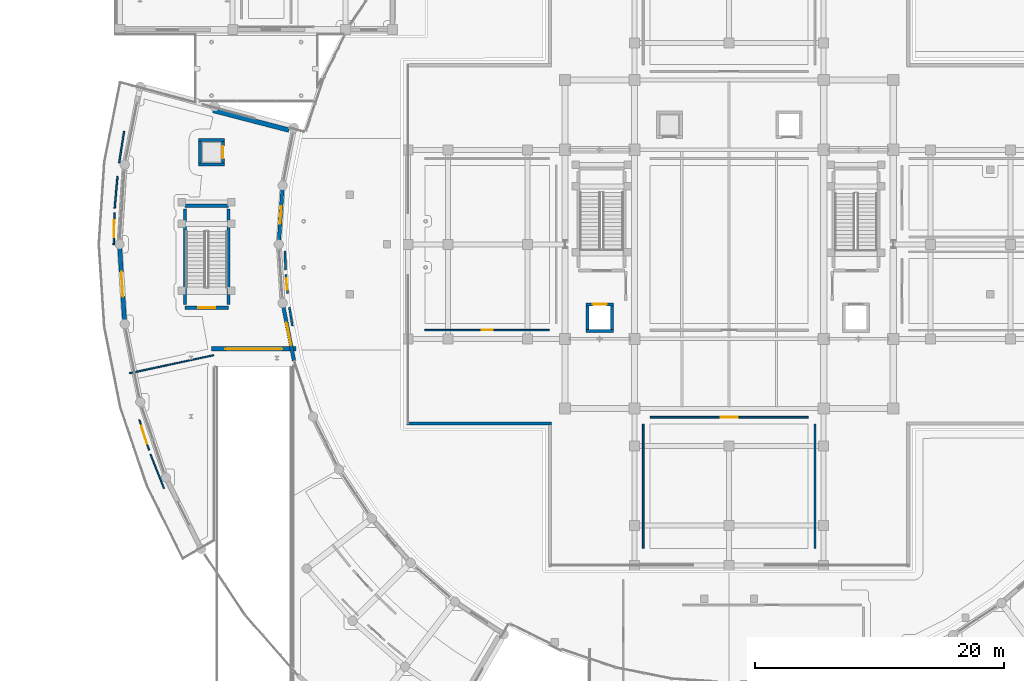
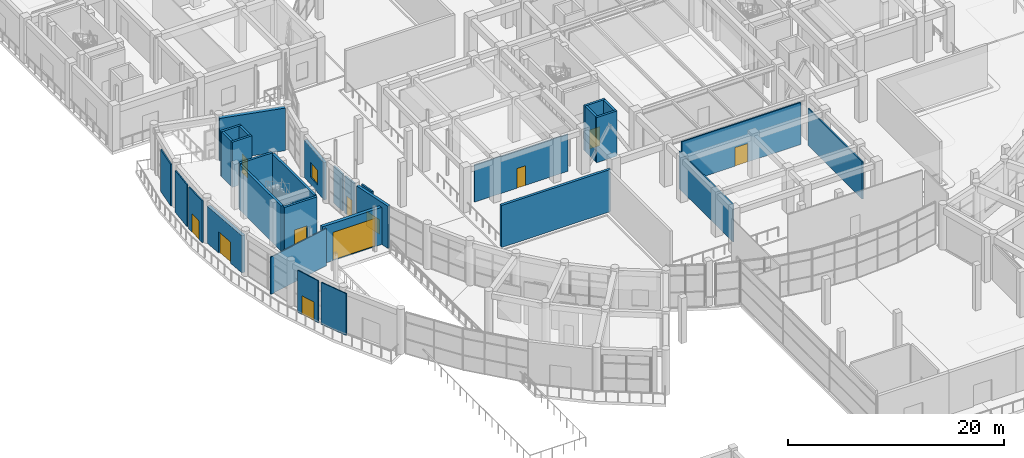
# One storey, part 69 of 99: 31 walls, 10 doors, 2 windows, 12 openings.
"""IFC4 building model written with IfcOpenShell, lengths in metres."""

from ifc_helpers import new_model, si_unit, direction, frame, frame_2d, origin, place, context, subcontext, project, spatial, rectangle, extrude, material, layer, layer_set, type_object, element, fill, save


model = new_model("IFC4")

# Units and contexts
model_context = context("Model", 3, precision=1e-05, world=origin(), true_north=direction((0.0, 1.0)))
body_context = subcontext(model_context, "Body", "Model", "MODEL_VIEW")
ifc_project = project(units=[si_unit("LENGTHUNIT", "METRE"), si_unit("AREAUNIT", "SQUARE_METRE"), si_unit("VOLUMEUNIT", "CUBIC_METRE"), si_unit("PLANEANGLEUNIT", "RADIAN"), si_unit("MASSUNIT", "GRAM", prefix="KILO")], contexts=[model_context])

# Site, building, storey
site_placement = place(None, origin())
site = spatial("IfcSite", under=ifc_project, at=site_placement, CompositionType="ELEMENT")
building_placement = place(site_placement, origin())
building = spatial("IfcBuilding", under=site, at=building_placement, Name="Saryqyr Civic Hall", CompositionType="ELEMENT")
storey_placement = place(building_placement, origin())
storey = spatial("IfcBuildingStorey", under=building, at=storey_placement, Name="L00", CompositionType="ELEMENT", Elevation=0.0)

# Wall
ifc_material_1 = material(Name="Precast concrete C40/50", Category="concrete")
ifc_layer_1 = layer(ifc_material_1, 0.27001953125, Name="Precast concrete C40/50")
ifc_layer_set_1 = layer_set([ifc_layer_1], Name="Precast concrete C40/50")
wall_type_1 = type_object("IfcWallType", Name="ENV-WAL-EXT-270", PredefinedType="STANDARD", material=ifc_layer_set_1)
wall_1_placement = place(storey_placement, frame((42.719970703125, 69.60009765625, 0.0), z_axis=(0.0, 0.0, 1.0), x_axis=(-1.0, 0.0, 0.0)))
element("IfcWall", 1, at=wall_1_placement, inside=storey, type_object=wall_type_1, Name="Exterior wall V1-EW-L00-01", PredefinedType="STANDARD", context=body_context, shape_type="SweptSolid", body=[
    extrude(rectangle(XDim=11.639892578125, YDim=0.27001953125, at=frame_2d((5.81982421875, 0.0))), origin(), (0.0, 0.0, 1.0), 4.75),
])

# Wall, opening, window
ifc_layer_2 = layer(ifc_material_1, 0.2900390625, Name="Precast concrete C40/50")
ifc_layer_set_2 = layer_set([ifc_layer_2], Name="Precast concrete C40/50")
wall_type_2 = type_object("IfcWallType", Name="ENV-WAL-EXT-290", PredefinedType="STANDARD", material=ifc_layer_set_2)
wall_2_placement = place(storey_placement, frame((21.08935546875, 88.4150390625, 0.0), z_axis=(0.0, 0.0, 1.0), x_axis=(-0.06540030554, -0.997859108309, 0.0)))
wall_2 = element("IfcWall", 2, at=wall_2_placement, inside=storey, type_object=wall_type_2, Name="Exterior wall V4-EWI-L00-01", PredefinedType="STANDARD", context=body_context, shape_type="SweptSolid", body=[
    extrude(rectangle(XDim=4.11376953125, YDim=0.2900390625, at=frame_2d((2.056884765625, 0.0))), origin(), (0.0, 0.0, 1.0), 4.195068359375),
])
opening_1_placement = place(wall_2_placement, frame((1.35693359375, 0.0, 0.85009765625)))
opening_1 = element("IfcOpeningElement", 3, at=opening_1_placement, cuts=wall_2, Name="Opening W-18", PredefinedType="OPENING", context=body_context, shape_type="SweptSolid", body=[
    extrude(rectangle(XDim=1.39990234375, YDim=1.64990234375, at=frame_2d((0.699951171875, 0.824951171875))), frame((0.0, 0.155029296875, 0.0), z_axis=(0.0, -1.0, 0.0), x_axis=(1.0, 0.0, 0.0)), (0.0, 0.0, 1.0), 0.31005859375),
])
ifc_material_2 = material(Name="Anodised aluminium and triple low-E glass", Category="aluminium")
window_type_1 = type_object("IfcWindowType", Name="ENV-WIN-W18", PartitioningType="SINGLE_PANEL", PredefinedType="WINDOW", material=ifc_material_2)
window_1_placement = place(opening_1_placement, origin())
window_1 = element("IfcWindow", 4, at=window_1_placement, inside=storey, type_object=window_type_1, Name="Courtyard window V4-L00-01", OverallHeight=1.64990234375, OverallWidth=1.39990234375, PartitioningType="SINGLE_PANEL", PredefinedType="WINDOW", context=body_context, shape_type="SweptSolid", body=[
    extrude(rectangle(XDim=1.39990234375, YDim=1.64990234375, at=frame_2d((0.699951171875, 0.824951171875))), frame((0.0, 0.030029296875, 0.0), z_axis=(0.0, -1.0, 0.0), x_axis=(1.0, 0.0, 0.0)), (0.0, 0.0, 1.0), 0.06005859375),
])
fill(opening_1, window_1)

wall_3_placement = place(storey_placement, frame((21.17138671875, 78.965087890625, 0.0), z_axis=(0.0, 0.0, 1.0), x_axis=(0.195074843472, -0.98078835915, 0.0)))
wall_3 = element("IfcWall", 5, at=wall_3_placement, inside=storey, type_object=wall_type_2, Name="Exterior wall V4-EWI-L00-03", PredefinedType="STANDARD", context=body_context, shape_type="SweptSolid", body=[
    extrude(rectangle(XDim=4.419189453125, YDim=0.2900390625, at=frame_2d((2.20947265625, 0.0))), origin(), (0.0, 0.0, 1.0), 4.75),
])
opening_2_placement = place(wall_3_placement, frame((1.284912109375, 0.0, 0.85009765625)))
opening_2 = element("IfcOpeningElement", 6, at=opening_2_placement, cuts=wall_3, Name="Opening W-20", PredefinedType="OPENING", context=body_context, shape_type="SweptSolid", body=[
    extrude(rectangle(XDim=1.85009765625, YDim=1.64990234375, at=frame_2d((0.925048828125, 0.824951171875))), frame((0.0, 0.155029296875, 0.0), z_axis=(0.0, -1.0, 0.0), x_axis=(1.0, 0.0, 0.0)), (0.0, 0.0, 1.0), 0.31005859375),
])
window_type_2 = type_object("IfcWindowType", Name="ENV-WIN-W20", PartitioningType="SINGLE_PANEL", PredefinedType="WINDOW", material=ifc_material_2)
window_2_placement = place(opening_2_placement, origin())
window_2 = element("IfcWindow", 7, at=window_2_placement, inside=storey, type_object=window_type_2, Name="Courtyard window V4-L00-03", OverallHeight=1.64990234375, OverallWidth=1.85009765625, PartitioningType="SINGLE_PANEL", PredefinedType="WINDOW", context=body_context, shape_type="SweptSolid", body=[
    extrude(rectangle(XDim=1.85009765625, YDim=1.64990234375, at=frame_2d((0.925048828125, 0.824951171875))), frame((0.0, 0.030029296875, 0.0), z_axis=(0.0, -1.0, 0.0), x_axis=(1.0, 0.0, 0.0)), (0.0, 0.0, 1.0), 0.06005859375),
])
fill(opening_2, window_2)

# Wall, opening, door
ifc_layer_3 = layer(ifc_material_1, 0.340087890625, Name="Precast concrete C40/50")
ifc_layer_set_3 = layer_set([ifc_layer_3], Name="Precast concrete C40/50")
wall_type_3 = type_object("IfcWallType", Name="ENV-WAL-EXT-340", PredefinedType="STANDARD", material=ifc_layer_set_3)
wall_4_placement = place(storey_placement, frame((8.39892578125, 77.914306640625, 0.0), z_axis=(0.0, 0.0, 1.0), x_axis=(-0.06542153774, 0.997857716511, 0.0)))
wall_4 = element("IfcWall", 8, at=wall_4_placement, inside=storey, type_object=wall_type_3, Name="Exterior wall V4-EWO-L00-02", PredefinedType="STANDARD", context=body_context, shape_type="SweptSolid", body=[
    extrude(rectangle(XDim=5.7880859375, YDim=0.340087890625, at=frame_2d((2.89404296875, 0.0))), origin(), (0.0, 0.0, 1.0), 4.195068359375),
])
opening_3_placement = place(wall_4_placement, frame((1.89404296875, 0.0, 0.0)))
opening_3 = element("IfcOpeningElement", 9, at=opening_3_placement, cuts=wall_4, Name="Opening ED-A", PredefinedType="OPENING", context=body_context, shape_type="SweptSolid", body=[
    extrude(rectangle(XDim=2.0, YDim=2.39990234375, at=frame_2d((1.0, 1.199951171875))), frame((0.0, 0.179931640625, 0.0), z_axis=(0.0, -1.0, 0.0), x_axis=(1.0, 0.0, 0.0)), (0.0, 0.0, 1.0), 0.360107421875),
])
ifc_material_3 = material(Name="Thermally broken painted galvanized steel", Category="steel")
door_type_1 = type_object("IfcDoorType", Name="ENV-DR-EXIT-2000x2400", OperationType="NOTDEFINED", PredefinedType="DOOR", material=ifc_material_3)
door_1_placement = place(opening_3_placement, origin())
door_1 = element("IfcDoor", 10, at=door_1_placement, inside=storey, type_object=door_type_1, Name="Pedestrian Final Exit Door V4-02", OperationType="DOUBLE_DOOR_SINGLE_SWING", OverallHeight=2.39990234375, OverallWidth=2.0, PredefinedType="DOOR", context=body_context, shape_type="SweptSolid", body=[
    extrude(rectangle(XDim=2.0, YDim=2.39990234375, at=frame_2d((1.0, 1.199951171875))), frame((0.0, 0.02490234375, 0.0), z_axis=(0.0, -1.0, 0.0), x_axis=(1.0, 0.0, 0.0)), (0.0, 0.0, 1.0), 0.050048828125),
])
fill(opening_3, door_1)

wall_5_placement = place(storey_placement, frame((15.39990234375, 75.60009765625, 0.0), z_axis=(0.0, 0.0, 1.0), x_axis=(1.0, 0.0, 0.0)))
wall_5 = element("IfcWall", 11, at=wall_5_placement, inside=storey, type_object=wall_type_3, Name="Basement car park ramp portal wall", PredefinedType="STANDARD", context=body_context, shape_type="SweptSolid", body=[
    extrude(rectangle(XDim=6.800048828125, YDim=0.340087890625, at=frame_2d((3.39990234375, 0.0))), origin(), (0.0, 0.0, 1.0), 4.199951171875),
])
opening_4_placement = place(wall_5_placement, frame((1.10009765625, 0.0, 0.0)))
opening_4 = element("IfcOpeningElement", 12, at=opening_4_placement, cuts=wall_5, Name="Opening VG-A", PredefinedType="OPENING", context=body_context, shape_type="SweptSolid", body=[
    extrude(rectangle(XDim=4.60009765625, YDim=3.199951171875, at=frame_2d((2.300048828125, 1.60009765625))), frame((0.0, 0.179931640625, 0.0), z_axis=(0.0, -1.0, 0.0), x_axis=(1.0, 0.0, 0.0)), (0.0, 0.0, 1.0), 0.360107421875),
])
door_type_2 = type_object("IfcDoorType", Name="ENV-GT-VEH-4600x3200", OperationType="NOTDEFINED", PredefinedType="GATE", material=ifc_material_3)
door_2_placement = place(opening_4_placement, origin())
door_2 = element("IfcDoor", 13, at=door_2_placement, inside=storey, type_object=door_type_2, Name="Basement car park roller-shutter vehicle gate VG-01", OperationType="ROLLINGUP", OverallHeight=3.199951171875, OverallWidth=4.60009765625, PredefinedType="GATE", context=body_context, shape_type="SweptSolid", body=[
    extrude(rectangle(XDim=4.60009765625, YDim=3.199951171875, at=frame_2d((2.300048828125, 1.60009765625))), frame((0.0, 0.02490234375, 0.0), z_axis=(0.0, -1.0, 0.0), x_axis=(1.0, 0.0, 0.0)), (0.0, 0.0, 1.0), 0.050048828125),
])
fill(opening_4, door_2)

# Walls
ifc_material_4 = material(Name="Concrete C40/50", Category="concrete")
ifc_layer_4 = layer(ifc_material_4, 0.3798828125, Name="Concrete C40/50")
ifc_layer_set_4 = layer_set([ifc_layer_4], Name="Concrete C40/50")
wall_type_4 = type_object("IfcWallType", Name="ENV-WAL-PTY-380", PredefinedType="SHEAR", material=ifc_layer_set_4)
wall_6_placement = place(storey_placement, frame((15.5146484375, 94.767578125, 0.0), z_axis=(0.0, 0.0, 1.0), x_axis=(0.967930025072, -0.251219956541, 0.0)))
element("IfcWall", 14, at=wall_6_placement, inside=storey, type_object=wall_type_4, Name="Exterior wall V4-JNTW-A-L00", PredefinedType="SHEAR", context=body_context, shape_type="SweptSolid", body=[
    extrude(rectangle(XDim=6.31005859375, YDim=0.3798828125, at=frame_2d((3.155029296875, 0.0))), origin(), (0.0, 0.0, 1.0), 4.800048828125),
])
ifc_material_5 = material(Name="Moisture-resistant gypsum partition", Category="gypsum")
ifc_layer_5 = layer(ifc_material_5, 0.110107421875, Name="Moisture-resistant gypsum partition")
ifc_layer_set_5 = layer_set([ifc_layer_5], Name="Moisture-resistant gypsum partition")
wall_type_5 = type_object("IfcWallType", Name="INT-WAL-PRT-110", PredefinedType="PARTITIONING", material=ifc_layer_set_5)
wall_7_placement = place(storey_placement, frame((11.578125, 64.3896484375, 0.0), z_axis=(0.0, 0.0, 1.0), x_axis=(-0.368936782187, 0.929454490951, 0.0)))
element("IfcWall", 15, at=wall_7_placement, inside=storey, type_object=wall_type_5, Name="Interior partition PRT-SP-V4-L00-R02-W1", PredefinedType="PARTITIONING", context=body_context, shape_type="SweptSolid", body=[
    extrude(rectangle(XDim=2.934814453125, YDim=0.110107421875, at=frame_2d((1.46728515625, 0.0))), origin(), (0.0, 0.0, 1.0), 4.72998046875),
])

# Wall, opening, door
wall_8_placement = place(storey_placement, frame((10.373779296875, 67.4560546875, 0.0), z_axis=(0.0, 0.0, 1.0), x_axis=(-0.306301870274, 0.951934432756, 0.0)))
wall_8 = element("IfcWall", 16, at=wall_8_placement, inside=storey, type_object=wall_type_5, Name="Interior partition PRT-SP-V4-L00-R02-W2", PredefinedType="PARTITIONING", context=body_context, shape_type="SweptSolid", body=[
    extrude(rectangle(XDim=2.56494140625, YDim=0.110107421875, at=frame_2d((1.282470703125, 0.0))), origin(), (0.0, 0.0, 1.0), 4.72998046875),
])
opening_5_placement = place(wall_8_placement, frame((0.531982421875, 0.0, 0.0)))
opening_5 = element("IfcOpeningElement", 17, at=opening_5_placement, cuts=wall_8, Name="Opening D-08", PredefinedType="OPENING", context=body_context, shape_type="SweptSolid", body=[
    extrude(rectangle(XDim=1.5, YDim=2.10009765625, at=frame_2d((0.75, 1.050048828125))), frame((0.0, 0.06494140625, 0.0), z_axis=(0.0, -1.0, 0.0), x_axis=(1.0, 0.0, 0.0)), (0.0, 0.0, 1.0), 0.130126953125),
])
ifc_material_6 = material(Name="Acoustic solid-core oak veneer", Category="wood")
door_type_3 = type_object("IfcDoorType", Name="INT-DR-D-08", OperationType="NOTDEFINED", PredefinedType="DOOR", material=ifc_material_6)
door_3_placement = place(opening_5_placement, origin())
door_3 = element("IfcDoor", 18, at=door_3_placement, inside=storey, type_object=door_type_3, Name="Interior door Social Welfare & Housing Advisory Desk", OperationType="SINGLE_SWING_RIGHT", OverallHeight=2.10009765625, OverallWidth=1.5, PredefinedType="DOOR", context=body_context, shape_type="SweptSolid", body=[
    extrude(rectangle(XDim=1.5, YDim=2.10009765625, at=frame_2d((0.75, 1.050048828125))), frame((0.0, 0.02490234375, 0.0), z_axis=(0.0, -1.0, 0.0), x_axis=(1.0, 0.0, 0.0)), (0.0, 0.0, 1.0), 0.050048828125),
])
fill(opening_5, door_3)

# Wall
wall_9_placement = place(storey_placement, frame((8.80224609375, 73.63623046875, 0.0), z_axis=(0.0, 0.0, 1.0), x_axis=(0.977733693302, 0.209849529382, 0.0)))
element("IfcWall", 19, at=wall_9_placement, inside=storey, type_object=wall_type_5, Name="Interior partition PRT-SP-V4-L00-R02-W3", PredefinedType="PARTITIONING", context=body_context, shape_type="SweptSolid", body=[
    extrude(rectangle(XDim=6.919921875, YDim=0.110107421875, at=frame_2d((3.4599609375, 0.0))), origin(), (0.0, 0.0, 1.0), 4.195068359375),
])

# Wall, opening, door
wall_10_placement = place(storey_placement, frame((42.550048828125, 77.10009765625, 0.0), z_axis=(0.0, 0.0, 1.0), x_axis=(-1.0, 0.0, 0.0)))
wall_10 = element("IfcWall", 20, at=wall_10_placement, inside=storey, type_object=wall_type_5, Name="Interior partition PRT-SP-V1-L00-R04-W2", PredefinedType="PARTITIONING", context=body_context, shape_type="SweptSolid", body=[
    extrude(rectangle(XDim=10.0, YDim=0.110107421875, at=frame_2d((5.0, 0.0))), origin(), (0.0, 0.0, 1.0), 4.195068359375),
])
opening_6_placement = place(wall_10_placement, frame((4.550048828125, 0.0, 0.0)))
opening_6 = element("IfcOpeningElement", 21, at=opening_6_placement, cuts=wall_10, Name="Opening D-09", PredefinedType="OPENING", context=body_context, shape_type="SweptSolid", body=[
    extrude(rectangle(XDim=0.89990234375, YDim=2.219970703125, at=frame_2d((0.449951171875, 1.10986328125))), frame((0.0, 0.06494140625, 0.0), z_axis=(0.0, -1.0, 0.0), x_axis=(1.0, 0.0, 0.0)), (0.0, 0.0, 1.0), 0.130126953125),
])
door_type_4 = type_object("IfcDoorType", Name="INT-DR-D-09", OperationType="NOTDEFINED", PredefinedType="DOOR", material=ifc_material_6)
door_4_placement = place(opening_6_placement, origin())
door_4 = element("IfcDoor", 22, at=door_4_placement, inside=storey, type_object=door_type_4, Name="Interior door Citizens' Petition & Reception Room", OperationType="SINGLE_SWING_LEFT", OverallHeight=2.219970703125, OverallWidth=0.89990234375, PredefinedType="DOOR", context=body_context, shape_type="SweptSolid", body=[
    extrude(rectangle(XDim=0.89990234375, YDim=2.219970703125, at=frame_2d((0.449951171875, 1.10986328125))), frame((0.0, 0.02490234375, 0.0), z_axis=(0.0, -1.0, 0.0), x_axis=(1.0, 0.0, 0.0)), (0.0, 0.0, 1.0), 0.050048828125),
])
fill(opening_6, door_4)

ifc_material_7 = material(Name="Metal-stud gypsum board partition", Category="gypsum")
ifc_layer_6 = layer(ifc_material_7, 0.125, Name="Metal-stud gypsum board partition")
ifc_layer_set_6 = layer_set([ifc_layer_6], Name="Metal-stud gypsum board partition")
wall_type_6 = type_object("IfcWallType", Name="INT-WAL-PRT-125", PredefinedType="PARTITIONING", material=ifc_layer_set_6)
wall_11_placement = place(storey_placement, frame((7.535400390625, 83.9765625, 0.0), z_axis=(0.0, 0.0, 1.0), x_axis=(0.021702970344, 0.9997644628, 0.0)))
wall_11 = element("IfcWall", 23, at=wall_11_placement, inside=storey, type_object=wall_type_6, Name="Interior partition PRT-SP-V4-L00-R01-W1", PredefinedType="PARTITIONING", context=body_context, shape_type="SweptSolid", body=[
    extrude(rectangle(XDim=2.564697265625, YDim=0.125, at=frame_2d((1.2822265625, 0.0))), origin(), (0.0, 0.0, 1.0), 4.72998046875),
])
opening_7_placement = place(wall_11_placement, frame((0.60693359375, 0.0, 0.0)))
opening_7 = element("IfcOpeningElement", 24, at=opening_7_placement, cuts=wall_11, Name="Opening D-07", PredefinedType="OPENING", context=body_context, shape_type="SweptSolid", body=[
    extrude(rectangle(XDim=1.35009765625, YDim=2.10009765625, at=frame_2d((0.675048828125, 1.050048828125))), frame((0.0, 0.072509765625, 0.0), z_axis=(0.0, -1.0, 0.0), x_axis=(1.0, 0.0, 0.0)), (0.0, 0.0, 1.0), 0.14501953125),
])
door_type_5 = type_object("IfcDoorType", Name="INT-DR-D-07", OperationType="NOTDEFINED", PredefinedType="DOOR", material=ifc_material_6)
door_5_placement = place(opening_7_placement, origin())
door_5 = element("IfcDoor", 25, at=door_5_placement, inside=storey, type_object=door_type_5, Name="Interior door Citizens' Service Centre West Hall", OperationType="SINGLE_SWING_LEFT", OverallHeight=2.10009765625, OverallWidth=1.35009765625, PredefinedType="DOOR", context=body_context, shape_type="SweptSolid", body=[
    extrude(rectangle(XDim=1.35009765625, YDim=2.10009765625, at=frame_2d((0.675048828125, 1.050048828125))), frame((0.0, 0.02490234375, 0.0), z_axis=(0.0, -1.0, 0.0), x_axis=(1.0, 0.0, 0.0)), (0.0, 0.0, 1.0), 0.050048828125),
])
fill(opening_7, door_5)

# Walls
for number, where, z_axis, x_axis, name in (
    (26, (7.61083984375, 86.89990234375, 0.0), (0.0, 0.0, 1.0), (0.088141042728, 0.996108004479, 0.0), "Interior partition PRT-SP-V4-L00-R01-W2"),
    (27, (7.97021484375, 90.546142578125, 0.0), (0.0, 0.0, 1.0), (0.154295577422, 0.988024733895, 0.0), "Interior partition PRT-SP-V4-L00-R01-W3"),
):
    element("IfcWall", number, at=place(storey_placement, frame(where, z_axis=z_axis, x_axis=x_axis)), inside=storey, type_object=wall_type_6, Name=name, PredefinedType="PARTITIONING", context=body_context, shape_type="SweptSolid", body=[
        extrude(rectangle(XDim=2.56494140625, YDim=0.125, at=frame_2d((1.282470703125, 0.0))), origin(), (0.0, 0.0, 1.0), 4.72998046875),
    ])

# Wall, opening, door
ifc_layer_7 = layer(ifc_material_7, 0.139892578125, Name="Metal-stud gypsum board partition")
ifc_layer_set_7 = layer_set([ifc_layer_7], Name="Metal-stud gypsum board partition")
wall_type_7 = type_object("IfcWallType", Name="INT-WAL-PRT-140", PredefinedType="PARTITIONING", material=ifc_layer_set_7)
wall_12_placement = place(storey_placement, frame((50.64990234375, 70.10009765625, 0.0), z_axis=(0.0, 0.0, 1.0), x_axis=(1.0, 0.0, 0.0)))
wall_12 = element("IfcWall", 28, at=wall_12_placement, inside=storey, type_object=wall_type_7, Name="Interior partition PRT-SP-V1-L00-R02-W1", PredefinedType="PARTITIONING", context=body_context, shape_type="SweptSolid", body=[
    extrude(rectangle(XDim=12.7001953125, YDim=0.139892578125, at=frame_2d((6.35009765625, 0.0))), origin(), (0.0, 0.0, 1.0), 4.72998046875),
])
opening_8_placement = place(wall_12_placement, frame((5.675048828125, 0.0, 0.0)))
opening_8 = element("IfcOpeningElement", 29, at=opening_8_placement, cuts=wall_12, Name="Opening D-07", PredefinedType="OPENING", context=body_context, shape_type="SweptSolid", body=[
    extrude(rectangle(XDim=1.35009765625, YDim=2.10009765625, at=frame_2d((0.675048828125, 1.050048828125))), frame((0.0, 0.079833984375, 0.0), z_axis=(0.0, -1.0, 0.0), x_axis=(1.0, 0.0, 0.0)), (0.0, 0.0, 1.0), 0.159912109375),
])
door_6_placement = place(opening_8_placement, origin())
door_6 = element("IfcDoor", 30, at=door_6_placement, inside=storey, type_object=door_type_5, Name="Interior door Public Information & Accreditation Hall", OperationType="SINGLE_SWING_LEFT", OverallHeight=2.10009765625, OverallWidth=1.35009765625, PredefinedType="DOOR", context=body_context, shape_type="SweptSolid", body=[
    extrude(rectangle(XDim=1.35009765625, YDim=2.10009765625, at=frame_2d((0.675048828125, 1.050048828125))), frame((0.0, 0.02490234375, 0.0), z_axis=(0.0, -1.0, 0.0), x_axis=(1.0, 0.0, 0.0)), (0.0, 0.0, 1.0), 0.050048828125),
])
fill(opening_8, door_6)

# Walls
for number, where, z_axis, x_axis, name in (
    (31, (63.89990234375, 69.550048828125, 0.0), (0.0, 0.0, 1.0), (0.0, -1.0, 0.0), "Interior partition PRT-SP-V1-L00-R02-W2"),
    (32, (50.10009765625, 59.550048828125, 0.0), (0.0, 0.0, 1.0), (0.0, 1.0, 0.0), "Interior partition PRT-SP-V1-L00-R02-W3"),
):
    element("IfcWall", number, at=place(storey_placement, frame(where, z_axis=z_axis, x_axis=x_axis)), inside=storey, type_object=wall_type_7, Name=name, PredefinedType="PARTITIONING", context=body_context, shape_type="SweptSolid", body=[
        extrude(rectangle(XDim=10.0, YDim=0.139892578125, at=frame_2d((5.0, 0.0))), origin(), (0.0, 0.0, 1.0), 4.195068359375),
    ])

# Wall, opening, door
ifc_material_8 = material(Name="Acoustic double-stud gypsum board", Category="gypsum")
ifc_layer_8 = layer(ifc_material_8, 0.169921875, Name="Acoustic double-stud gypsum board")
ifc_layer_set_8 = layer_set([ifc_layer_8], Name="Acoustic double-stud gypsum board")
wall_type_8 = type_object("IfcWallType", Name="INT-WAL-PRT-170", PredefinedType="PARTITIONING", material=ifc_layer_set_8)
wall_13_placement = place(storey_placement, frame((21.367919921875, 81.570068359375, 0.0), z_axis=(0.0, 0.0, 1.0), x_axis=(0.094764222771, -0.995499744893, 0.0)))
wall_13 = element("IfcWall", 33, at=wall_13_placement, inside=storey, type_object=wall_type_8, Name="Interior partition PRT-SP-V4-L00-R04-W1", PredefinedType="PARTITIONING", context=body_context, shape_type="SweptSolid", body=[
    extrude(rectangle(XDim=1.54052734375, YDim=0.169921875, at=frame_2d((0.770263671875, 0.0))), origin(), (0.0, 0.0, 1.0), 4.195068359375),
])
opening_9_placement = place(wall_13_placement, frame((0.320068359375, 0.0, 0.0)))
opening_9 = element("IfcOpeningElement", 34, at=opening_9_placement, cuts=wall_13, Name="Opening D-01", PredefinedType="OPENING", context=body_context, shape_type="SweptSolid", body=[
    extrude(rectangle(XDim=0.89990234375, YDim=2.10009765625, at=frame_2d((0.449951171875, 1.050048828125))), frame((0.0, 0.094970703125, 0.0), z_axis=(0.0, -1.0, 0.0), x_axis=(1.0, 0.0, 0.0)), (0.0, 0.0, 1.0), 0.18994140625),
])
door_type_6 = type_object("IfcDoorType", Name="INT-DR-D-01", OperationType="NOTDEFINED", PredefinedType="DOOR", material=ifc_material_6)
door_7_placement = place(opening_9_placement, origin())
door_7 = element("IfcDoor", 35, at=door_7_placement, inside=storey, type_object=door_type_6, Name="Interior door Queueing Lounge & Self-Service Kiosks", OperationType="SINGLE_SWING_RIGHT", OverallHeight=2.10009765625, OverallWidth=0.89990234375, PredefinedType="DOOR", context=body_context, shape_type="SweptSolid", body=[
    extrude(rectangle(XDim=0.89990234375, YDim=2.10009765625, at=frame_2d((0.449951171875, 1.050048828125))), frame((0.0, 0.02490234375, 0.0), z_axis=(0.0, -1.0, 0.0), x_axis=(1.0, 0.0, 0.0)), (0.0, 0.0, 1.0), 0.050048828125),
])
fill(opening_9, door_7)

# Walls
wall_14_placement = place(storey_placement, frame((21.297119140625, 83.468994140625, 0.0), z_axis=(0.0, 0.0, 1.0), x_axis=(0.031378230736, -0.99950758208, 0.0)))
element("IfcWall", 36, at=wall_14_placement, inside=storey, type_object=wall_type_8, Name="Interior partition PRT-SP-V4-L00-R04-W2", PredefinedType="PARTITIONING", context=body_context, shape_type="SweptSolid", body=[
    extrude(rectangle(XDim=1.54052734375, YDim=0.169921875, at=frame_2d((0.770263671875, 0.0))), origin(), (0.0, 0.0, 1.0), 4.195068359375),
])
wall_15_placement = place(storey_placement, frame((21.65283203125, 78.94580078125, 0.0), z_axis=(0.0, 0.0, 1.0), x_axis=(0.15768762623, -0.98748904426, 0.0)))
element("IfcWall", 37, at=wall_15_placement, inside=storey, type_object=wall_type_8, Name="Interior partition PRT-SP-V4-L00-R04-W3", PredefinedType="PARTITIONING", context=body_context, shape_type="SweptSolid", body=[
    extrude(rectangle(XDim=1.54052734375, YDim=0.169921875, at=frame_2d((0.770263671875, 0.0))), origin(), (0.0, 0.0, 1.0), 4.72998046875),
])
ifc_layer_9 = layer(ifc_material_4, 0.239990234375, Name="Concrete C40/50")
ifc_layer_set_9 = layer_set([ifc_layer_9], Name="Concrete C40/50")
wall_type_9 = type_object("IfcWallType", Name="INT-WAL-SHR-240", PredefinedType="SHEAR", material=ifc_layer_set_9)
wall_16_placement = place(storey_placement, frame((47.699951171875, 77.02001953125, 0.0), z_axis=(0.0, 0.0, 1.0), x_axis=(-1.0, 0.0, 0.0)))
element("IfcWall", 38, at=wall_16_placement, inside=storey, type_object=wall_type_9, Name="Lift shaft shear wall LF-01-SHW-S-L00", PredefinedType="SHEAR", context=body_context, shape_type="SweptSolid", body=[
    extrude(rectangle(XDim=2.199951171875, YDim=0.239990234375, at=frame_2d((1.10009765625, 0.0))), origin(), (0.0, 0.0, 1.0), 5.10009765625),
])
wall_17_placement = place(storey_placement, frame((47.580078125, 79.06005859375, 0.0), z_axis=(0.0, 0.0, 1.0), x_axis=(0.0, -1.0, 0.0)))
element("IfcWall", 39, at=wall_17_placement, inside=storey, type_object=wall_type_9, Name="Lift shaft shear wall LF-01-SHW-E-L00", PredefinedType="SHEAR", context=body_context, shape_type="SweptSolid", body=[
    extrude(rectangle(XDim=1.920166015625, YDim=0.239990234375, at=frame_2d((0.9599609375, 0.0))), origin(), (0.0, 0.0, 1.0), 5.10009765625),
])

# Wall, opening, door
wall_18_placement = place(storey_placement, frame((45.5, 79.179931640625, 0.0), z_axis=(0.0, 0.0, 1.0), x_axis=(1.0, 0.0, 0.0)))
wall_18 = element("IfcWall", 40, at=wall_18_placement, inside=storey, type_object=wall_type_9, Name="Lift shaft shear wall LF-01-SHW-N-L00", PredefinedType="SHEAR", context=body_context, shape_type="SweptSolid", body=[
    extrude(rectangle(XDim=2.199951171875, YDim=0.239990234375, at=frame_2d((1.10009765625, 0.0))), origin(), (0.0, 0.0, 1.0), 5.10009765625),
])
opening_10_placement = place(wall_18_placement, frame((0.550048828125, 0.0, 0.0)))
opening_10 = element("IfcOpeningElement", 41, at=opening_10_placement, cuts=wall_18, Name="Opening LD-01", PredefinedType="OPENING", context=body_context, shape_type="SweptSolid", body=[
    extrude(rectangle(XDim=1.10009765625, YDim=2.14990234375, at=frame_2d((0.550048828125, 1.074951171875))), frame((0.0, 0.1298828125, 0.0), z_axis=(0.0, -1.0, 0.0), x_axis=(1.0, 0.0, 0.0)), (0.0, 0.0, 1.0), 0.260009765625),
])
ifc_material_9 = material(Name="Brushed stainless steel", Category="steel")
door_type_7 = type_object("IfcDoorType", Name="INT-DR-LD-1100x2150", OperationType="NOTDEFINED", PredefinedType="DOOR", material=ifc_material_9)
door_8_placement = place(opening_10_placement, origin())
door_8 = element("IfcDoor", 42, at=door_8_placement, inside=storey, type_object=door_type_7, Name="Lift sliding landing door LF-01 L00", OperationType="SLIDING_TO_LEFT", OverallHeight=2.14990234375, OverallWidth=1.10009765625, PredefinedType="DOOR", context=body_context, shape_type="SweptSolid", body=[
    extrude(rectangle(XDim=1.10009765625, YDim=2.14990234375, at=frame_2d((0.550048828125, 1.074951171875))), frame((0.0, 0.02490234375, 0.0), z_axis=(0.0, -1.0, 0.0), x_axis=(1.0, 0.0, 0.0)), (0.0, 0.0, 1.0), 0.050048828125),
])
fill(opening_10, door_8)

# Walls
wall_19_placement = place(storey_placement, frame((45.6201171875, 77.139892578125, 0.0), z_axis=(0.0, 0.0, 1.0), x_axis=(0.0, 1.0, 0.0)))
element("IfcWall", 43, at=wall_19_placement, inside=storey, type_object=wall_type_9, Name="Lift shaft shear wall LF-01-SHW-W-L00", PredefinedType="SHEAR", context=body_context, shape_type="SweptSolid", body=[
    extrude(rectangle(XDim=1.920166015625, YDim=0.239990234375, at=frame_2d((0.9599609375, 0.0))), origin(), (0.0, 0.0, 1.0), 5.10009765625),
])
wall_20_placement = place(storey_placement, frame((16.449951171875, 90.419921875, 0.0), z_axis=(0.0, 0.0, 1.0), x_axis=(-1.0, 0.0, 0.0)))
element("IfcWall", 44, at=wall_20_placement, inside=storey, type_object=wall_type_9, Name="Lift shaft shear wall LF-06-SHW-S-L00", PredefinedType="SHEAR", context=body_context, shape_type="SweptSolid", body=[
    extrude(rectangle(XDim=2.099853515625, YDim=0.239990234375, at=frame_2d((1.0498046875, 0.0))), origin(), (0.0, 0.0, 1.0), 5.10009765625),
])

# Wall, opening, door
wall_21_placement = place(storey_placement, frame((16.330078125, 92.260009765625, 0.0), z_axis=(0.0, 0.0, 1.0), x_axis=(0.0, -1.0, 0.0)))
wall_21 = element("IfcWall", 45, at=wall_21_placement, inside=storey, type_object=wall_type_9, Name="Lift shaft shear wall LF-06-SHW-E-L00", PredefinedType="SHEAR", context=body_context, shape_type="SweptSolid", body=[
    extrude(rectangle(XDim=1.719970703125, YDim=0.239990234375, at=frame_2d((0.85986328125, 0.0))), origin(), (0.0, 0.0, 1.0), 5.10009765625),
])
opening_11_placement = place(wall_21_placement, frame((0.360107421875, 0.0, 0.0)))
opening_11 = element("IfcOpeningElement", 46, at=opening_11_placement, cuts=wall_21, Name="Opening LD-02", PredefinedType="OPENING", context=body_context, shape_type="SweptSolid", body=[
    extrude(rectangle(XDim=1.0, YDim=2.14990234375, at=frame_2d((0.5, 1.074951171875))), frame((0.0, 0.1298828125, 0.0), z_axis=(0.0, -1.0, 0.0), x_axis=(1.0, 0.0, 0.0)), (0.0, 0.0, 1.0), 0.260009765625),
])
door_type_8 = type_object("IfcDoorType", Name="INT-DR-LD-1000x2150", OperationType="NOTDEFINED", PredefinedType="DOOR", material=ifc_material_9)
door_9_placement = place(opening_11_placement, origin())
door_9 = element("IfcDoor", 47, at=door_9_placement, inside=storey, type_object=door_type_8, Name="Lift sliding landing door LF-06 L00", OperationType="SLIDING_TO_RIGHT", OverallHeight=2.14990234375, OverallWidth=1.0, PredefinedType="DOOR", context=body_context, shape_type="SweptSolid", body=[
    extrude(rectangle(XDim=1.0, YDim=2.14990234375, at=frame_2d((0.5, 1.074951171875))), frame((0.0, 0.02490234375, 0.0), z_axis=(0.0, -1.0, 0.0), x_axis=(1.0, 0.0, 0.0)), (0.0, 0.0, 1.0), 0.050048828125),
])
fill(opening_11, door_9)

# Walls
wall_22_placement = place(storey_placement, frame((14.35009765625, 92.3798828125, 0.0), z_axis=(0.0, 0.0, 1.0), x_axis=(1.0, 0.0, 0.0)))
element("IfcWall", 48, at=wall_22_placement, inside=storey, type_object=wall_type_9, Name="Lift shaft shear wall LF-06-SHW-N-L00", PredefinedType="SHEAR", context=body_context, shape_type="SweptSolid", body=[
    extrude(rectangle(XDim=2.099853515625, YDim=0.239990234375, at=frame_2d((1.0498046875, 0.0))), origin(), (0.0, 0.0, 1.0), 5.10009765625),
])
wall_23_placement = place(storey_placement, frame((14.469970703125, 90.5400390625, 0.0), z_axis=(0.0, 0.0, 1.0), x_axis=(0.0, 1.0, 0.0)))
element("IfcWall", 49, at=wall_23_placement, inside=storey, type_object=wall_type_9, Name="Lift shaft shear wall LF-06-SHW-W-L00", PredefinedType="SHEAR", context=body_context, shape_type="SweptSolid", body=[
    extrude(rectangle(XDim=1.719970703125, YDim=0.239990234375, at=frame_2d((0.85986328125, 0.0))), origin(), (0.0, 0.0, 1.0), 5.10009765625),
])

# Wall, opening, door
ifc_layer_10 = layer(ifc_material_4, 0.25, Name="Concrete C40/50")
ifc_layer_set_10 = layer_set([ifc_layer_10], Name="Concrete C40/50")
wall_type_10 = type_object("IfcWallType", Name="INT-WAL-SHR-250", PredefinedType="SHEAR", material=ifc_layer_set_10)
wall_24_placement = place(storey_placement, frame((16.75, 78.89990234375, 0.0), z_axis=(0.0, 0.0, 1.0), x_axis=(-1.0, 0.0, 0.0)))
wall_24 = element("IfcWall", 50, at=wall_24_placement, inside=storey, type_object=wall_type_10, Name="Protected stair shaft wall ST-4-SW1-L00", PredefinedType="SHEAR", context=body_context, shape_type="SweptSolid", body=[
    extrude(rectangle(XDim=3.5, YDim=0.25, at=frame_2d((1.75, 0.0))), origin(), (0.0, 0.0, 1.0), 5.10009765625),
])
opening_12_placement = place(wall_24_placement, frame((1.074951171875, 0.0, 0.0)))
opening_12 = element("IfcOpeningElement", 51, at=opening_12_placement, cuts=wall_24, Name="Opening SD-01", PredefinedType="OPENING", context=body_context, shape_type="SweptSolid", body=[
    extrude(rectangle(XDim=1.35009765625, YDim=2.199951171875, at=frame_2d((0.675048828125, 1.10009765625))), frame((0.0, 0.135009765625, 0.0), z_axis=(0.0, -1.0, 0.0), x_axis=(1.0, 0.0, 0.0)), (0.0, 0.0, 1.0), 0.27001953125),
])
ifc_material_10 = material(Name="Painted galvanized steel", Category="steel")
door_type_9 = type_object("IfcDoorType", Name="INT-DR-STAIR-1350x2200", OperationType="NOTDEFINED", PredefinedType="DOOR", material=ifc_material_10)
door_10_placement = place(opening_12_placement, origin())
door_10 = element("IfcDoor", 52, at=door_10_placement, inside=storey, type_object=door_type_9, Name="Exit stair landing fire door ST-4-L00", OperationType="SINGLE_SWING_RIGHT", OverallHeight=2.199951171875, OverallWidth=1.35009765625, PredefinedType="DOOR", context=body_context, shape_type="SweptSolid", body=[
    extrude(rectangle(XDim=1.35009765625, YDim=2.199951171875, at=frame_2d((0.675048828125, 1.10009765625))), frame((0.0, 0.02490234375, 0.0), z_axis=(0.0, -1.0, 0.0), x_axis=(1.0, 0.0, 0.0)), (0.0, 0.0, 1.0), 0.050048828125),
])
fill(opening_12, door_10)

# Walls
wall_25_placement = place(storey_placement, frame((13.25, 79.14990234375, 0.0), z_axis=(0.0, 0.0, 1.0), x_axis=(0.0, 1.0, 0.0)))
element("IfcWall", 53, at=wall_25_placement, inside=storey, type_object=wall_type_10, Name="Protected stair shaft wall ST-4-SW2-L00", PredefinedType="SHEAR", context=body_context, shape_type="SweptSolid", body=[
    extrude(rectangle(XDim=7.7001953125, YDim=0.25, at=frame_2d((3.85009765625, 0.0))), origin(), (0.0, 0.0, 1.0), 5.10009765625),
])
wall_26_placement = place(storey_placement, frame((13.25, 87.10009765625, 0.0), z_axis=(0.0, 0.0, 1.0), x_axis=(1.0, 0.0, 0.0)))
element("IfcWall", 54, at=wall_26_placement, inside=storey, type_object=wall_type_10, Name="Protected stair shaft wall ST-4-SW3-L00", PredefinedType="SHEAR", context=body_context, shape_type="SweptSolid", body=[
    extrude(rectangle(XDim=3.5, YDim=0.25, at=frame_2d((1.75, 0.0))), origin(), (0.0, 0.0, 1.0), 5.10009765625),
])
wall_27_placement = place(storey_placement, frame((16.75, 86.85009765625, 0.0), z_axis=(0.0, 0.0, 1.0), x_axis=(0.0, -1.0, 0.0)))
element("IfcWall", 55, at=wall_27_placement, inside=storey, type_object=wall_type_10, Name="Protected stair shaft wall ST-4-SW4-L00", PredefinedType="SHEAR", context=body_context, shape_type="SweptSolid", body=[
    extrude(rectangle(XDim=7.7001953125, YDim=0.25, at=frame_2d((3.85009765625, 0.0))), origin(), (0.0, 0.0, 1.0), 5.10009765625),
])

save(model, "model.ifc")
